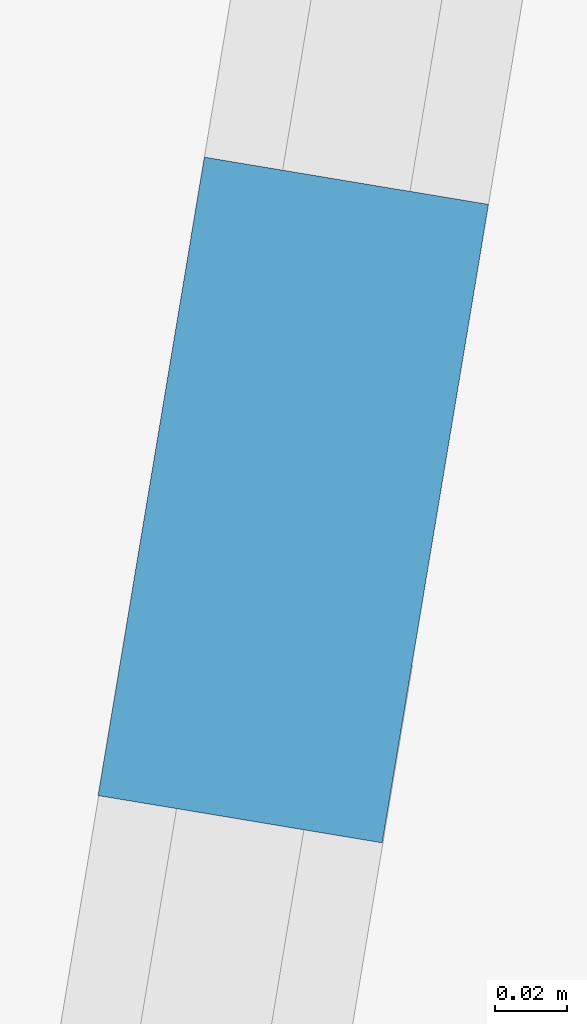
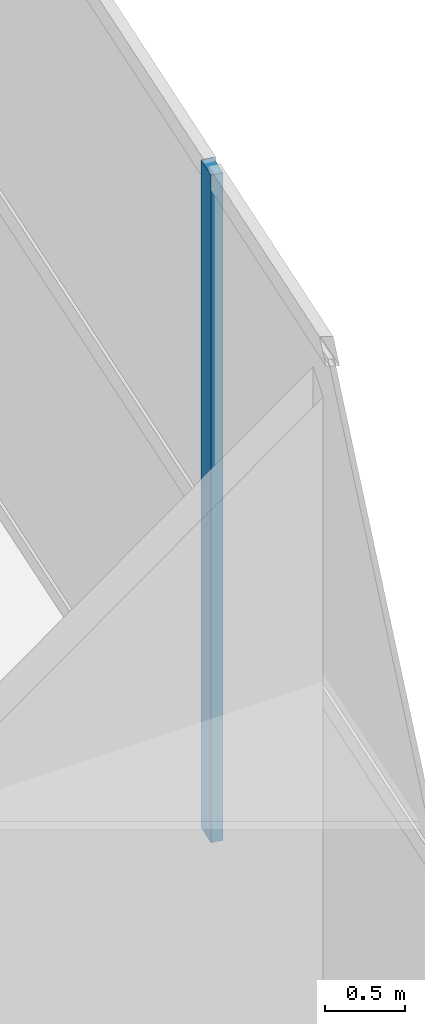
# One storey, part 5 of 17: 1 member, 1 element without a shape of its own.
"""IFC4 building model written with IfcOpenShell, lengths in metres."""

from ifc_helpers import new_model, si_unit, direction, frame, origin, origin_2d, place, context, subcontext, project, spatial, rectangle, extrude, material, layer, layer_set, material_profile, profile_set, type_object, element, aggregate, save


model = new_model("IFC4")

# Units and contexts
model_context = context("Model", 3, precision=1e-05, world=origin(), true_north=direction((0.0, 1.0)))
body_context = subcontext(model_context, "Body", "Model", "MODEL_VIEW")
ifc_project = project(units=[si_unit("LENGTHUNIT", "METRE"), si_unit("AREAUNIT", "SQUARE_METRE"), si_unit("VOLUMEUNIT", "CUBIC_METRE"), si_unit("PLANEANGLEUNIT", "RADIAN"), si_unit("MASSUNIT", "GRAM", prefix="KILO")], contexts=[model_context])

# Site, building, storey
site_placement = place(None, origin())
site = spatial("IfcSite", under=ifc_project, at=site_placement, CompositionType="ELEMENT")
building_placement = place(site_placement, origin())
building = spatial("IfcBuilding", under=site, at=building_placement, Name="Caeloran Harvest Quay", CompositionType="ELEMENT")
storey_placement = place(building_placement, frame((0.0, 0.0, 5.39990234375)))
storey = spatial("IfcBuildingStorey", under=building, at=storey_placement, Name="L02", CompositionType="ELEMENT", Elevation=5.39990234375)

# Curtain wall, member
ifc_material_1 = material(Name="Aluminium 6063-T6 and Low-E Glazing", Category="aluminium")
ifc_layer = layer(ifc_material_1, 0.179931640625, Name="Aluminium 6063-T6 and Low-E Glazing")
ifc_layer_set = layer_set([ifc_layer], Name="Aluminium 6063-T6 and Low-E Glazing")
curtain_wall_type = type_object("IfcCurtainWallType", Name="CW-SYS-CW-1", PredefinedType="USERDEFINED", material=ifc_layer_set)
curtain_wall_placement = place(storey_placement, origin())
curtain_wall = element("IfcCurtainWall", 1, at=curtain_wall_placement, inside=storey, type_object=curtain_wall_type, Name="L02 Unitised Curtain Wall CW-1 Run 9", ObjectType="CURTAIN_WALL", PredefinedType="USERDEFINED")
ifc_material_2 = material(Name="Aluminium 6063-T6", Category="aluminium")
ifc_material_profile = material_profile(ifc_material_2, rectangle(XDim=0.080078125, YDim=0.179931640625, at=origin_2d()), Name="CW-MULLION-180")
ifc_profile_set = profile_set([ifc_material_profile], Name="Aluminium 6063-T6")
member_type = type_object("IfcMemberType", Name="CW-MULLION-180", PredefinedType="MULLION", material=ifc_profile_set)
member_placement = place(storey_placement, frame((57.277587890625, 30.617919921875, 0.0), z_axis=(0.0, 0.0, 1.0), x_axis=(0.986431244674, -0.164174905304, 0.0)))
member = element("IfcMember", 2, at=member_placement, type_object=member_type, Name="CW-1 mullion 3", PredefinedType="MULLION", context=body_context, shape_type="SweptSolid", body=[
    extrude(rectangle(XDim=0.080078125, YDim=0.179931640625, at=origin_2d()), origin(), (0.0, 0.0, 1.0), 5.080078125),
])
aggregate(curtain_wall, [member])

save(model, "model.ifc")
